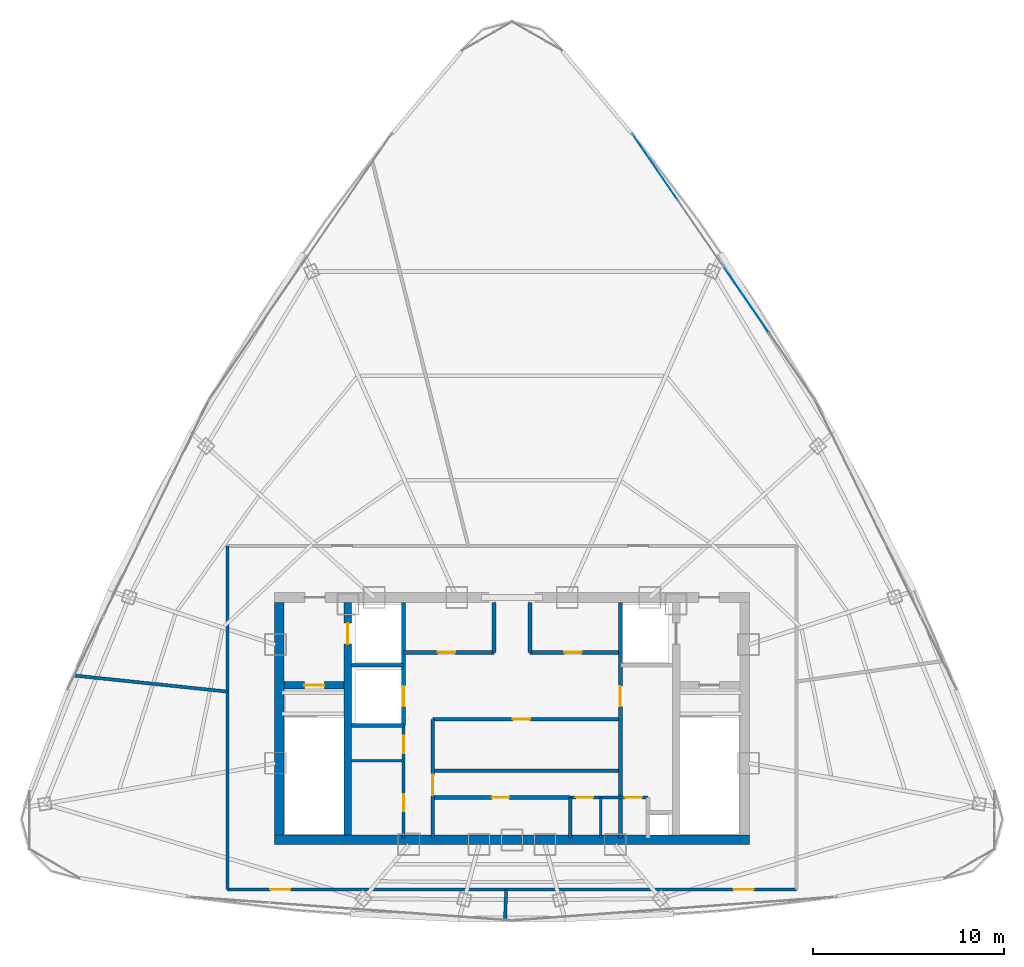
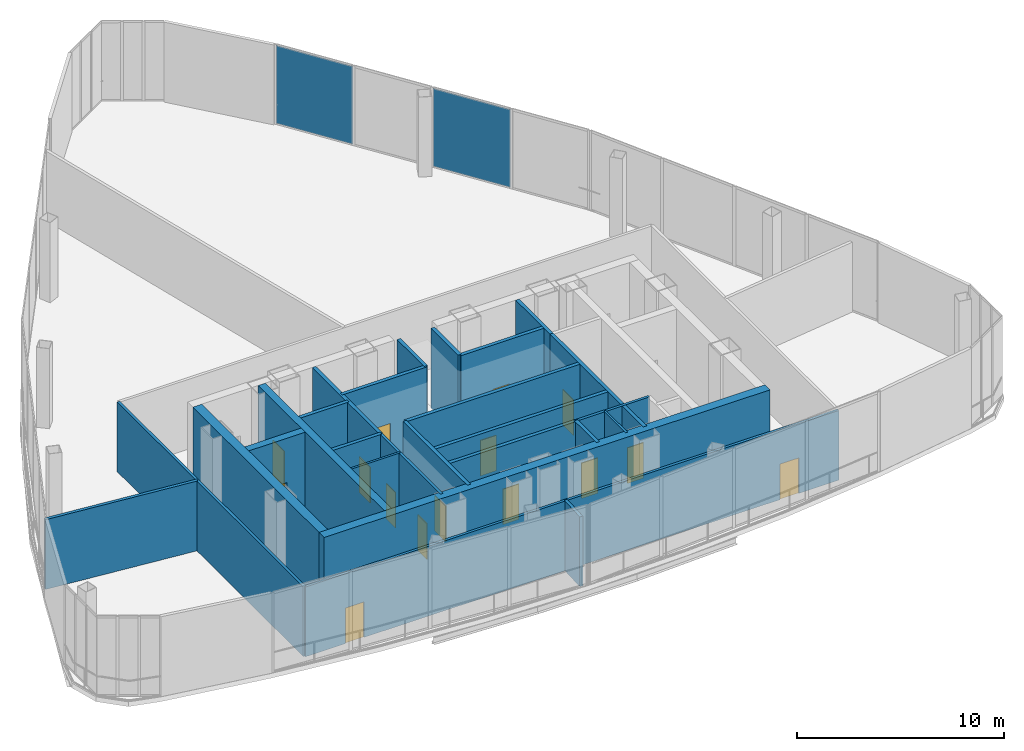
# One storey, part 29 of 32: 26 walls, 15 doors, 2 plates, 15 openings, 1 element without a shape of its own.
"""IFC4 building model written with IfcOpenShell, lengths in metres."""

from ifc_helpers import new_model, si_unit, direction, frame, frame_2d, origin, origin_with_axes, origin_2d, place, context, subcontext, project, spatial, rectangle, extrude, source, transform, mapped, material, layer, layer_set, type_object, element, fill, aggregate, save


model = new_model("IFC4")

# Units and contexts
model_context = context("Model", 3, precision=1e-05, world=origin(), true_north=direction((0.0, 1.0)))
body_context = subcontext(model_context, "Body", "Model", "MODEL_VIEW")
ifc_project = project(units=[si_unit("LENGTHUNIT", "METRE"), si_unit("AREAUNIT", "SQUARE_METRE"), si_unit("VOLUMEUNIT", "CUBIC_METRE"), si_unit("PLANEANGLEUNIT", "RADIAN"), si_unit("MASSUNIT", "GRAM", prefix="KILO"), si_unit("THERMODYNAMICTEMPERATUREUNIT", "KELVIN"), si_unit("POWERUNIT", "WATT")], contexts=[model_context])

# Site, building, storey
site_placement = place(None, origin())
site = spatial("IfcSite", under=ifc_project, at=site_placement, CompositionType="ELEMENT")
building_placement = place(site_placement, origin())
building = spatial("IfcBuilding", under=site, at=building_placement, Name="Yunzhuo Pagoda Commons", CompositionType="ELEMENT")
storey_placement = place(building_placement, frame((0.0, 0.0, 396.760009765625)))
storey = spatial("IfcBuildingStorey", under=building, at=storey_placement, Name="L98", CompositionType="ELEMENT", Elevation=396.760009765625)

# Curtain wall, plates
ifc_material_1 = material(Name="Anodized aluminium 6063-T6", Category="aluminium")
ifc_layer_1 = layer(ifc_material_1, 0.179931640625)
ifc_layer_set_1 = layer_set([ifc_layer_1], Name="Anodized aluminium 6063-T6")
curtain_wall_type = type_object("IfcCurtainWallType", Name="CW-CRN Crown Gable Glazing System", PredefinedType="NOTDEFINED", material=ifc_layer_set_1)
curtain_wall_placement = place(storey_placement, origin())
curtain_wall = element("IfcCurtainWall", 1, at=curtain_wall_placement, inside=storey, type_object=curtain_wall_type, Name="L98 curtain wall CW-L98-CRNF2G2", PredefinedType="NOTDEFINED")
ifc_material_2 = material(Name="Tempered low-e double glazing", Category="glass")
ifc_layer_2 = layer(ifc_material_2, 0.030029296875)
ifc_layer_set_2 = layer_set([ifc_layer_2], Name="Tempered low-e double glazing")
plate_type = type_object("IfcPlateType", Name="CW-CRN-P Low-E Double Glazing 30", PredefinedType="CURTAIN_PANEL", material=ifc_layer_set_2)
shared_shape_1 = source(origin(), body_context, "Body", "SweptSolid", [
    extrude(rectangle(XDim=4.125244140625, YDim=0.028076171875, at=origin_2d()), origin(), (0.0, 0.0, 1.0), 4.60009765625),
])
plate_1_placement = place(storey_placement, frame((55.507080078125, 62.74169921875, 0.06005859375), z_axis=(0.0, 0.0, 1.0), x_axis=(-0.566158911561, 0.824296116005, 0.0)))
plate_1 = element("IfcPlate", 2, at=plate_1_placement, type_object=plate_type, Name="CW panel 4.1", PredefinedType="CURTAIN_PANEL", context=body_context, shape_type="MappedRepresentation", body=[
    mapped(shared_shape_1, transform((0.0, 0.0, 0.0), scale=1.0)),
])
shared_shape_2 = source(origin(), body_context, "Body", "SweptSolid", [
    extrude(rectangle(XDim=4.15771484375, YDim=0.028076171875, at=origin_2d()), origin(), (0.0, 0.0, 1.0), 4.60009765625),
])
plate_2_placement = place(storey_placement, frame((60.279296875, 55.793701171875, 0.06005859375), z_axis=(0.0, 0.0, 1.0), x_axis=(-0.566158911561, 0.824296116005, 0.0)))
plate_2 = element("IfcPlate", 3, at=plate_2_placement, type_object=plate_type, Name="CW panel 2.1", PredefinedType="CURTAIN_PANEL", context=body_context, shape_type="MappedRepresentation", body=[
    mapped(shared_shape_2, transform((0.0, 0.0, 0.0), scale=1.0)),
])
aggregate(curtain_wall, [plate_2, plate_1])

# Walls
ifc_material_3 = material(Name="Concrete C50", Category="concrete")
ifc_layer_3 = layer(ifc_material_3, 0.5)
ifc_layer_set_3 = layer_set([ifc_layer_3], Name="Concrete C50")
wall_type_1 = type_object("IfcWallType", Name="W-C03 Upper Core Shear Wall 500", PredefinedType="SHEAR", material=ifc_layer_set_3)
wall_1_placement = place(storey_placement, frame((35.550048828125, 27.5, 0.0), z_axis=(0.0, 0.0, 1.0), x_axis=(1.0, 0.0, 0.0)))
element("IfcWall", 4, at=wall_1_placement, inside=storey, type_object=wall_type_1, Name="L98 core shear wall S", PredefinedType="SHEAR", context=body_context, shape_type="SweptSolid", body=[
    extrude(rectangle(XDim=24.89990234375, YDim=0.5, at=frame_2d((12.449951171875, 0.0))), origin(), (0.0, 0.0, 1.0), 4.719970703125),
])
wall_2_placement = place(storey_placement, frame((35.800048828125, 27.75, 0.0), z_axis=(0.0, 0.0, 1.0), x_axis=(0.0, 1.0, 0.0)))
element("IfcWall", 5, at=wall_2_placement, inside=storey, type_object=wall_type_1, Name="L98 core shear wall W", PredefinedType="SHEAR", context=body_context, shape_type="SweptSolid", body=[
    extrude(rectangle(XDim=12.199951171875, YDim=0.5, at=frame_2d((6.10009765625, 0.0))), origin(), (0.0, 0.0, 1.0), 4.719970703125),
])

# Wall, openings, doors
ifc_material_4 = material(Name="Gypsum plasterboard on acoustic stud")
ifc_layer_4 = layer(ifc_material_4, 0.14990234375)
ifc_layer_set_4 = layer_set([ifc_layer_4], Name="Gypsum plasterboard on acoustic stud")
wall_type_2 = type_object("IfcWallType", Name="W-COR3 High-Zone Rated Corridor Wall 150", PredefinedType="PARTITIONING", material=ifc_layer_set_4)
wall_3_placement = place(storey_placement, frame((42.320068359375, 27.60009765625, 0.0), z_axis=(0.0, 0.0, 1.0), x_axis=(0.0, 1.0, 0.0)))
wall_3 = element("IfcWall", 6, at=wall_3_placement, inside=storey, type_object=wall_type_2, Name="L98 interior wall IW-L98-CSWE", PredefinedType="PARTITIONING", context=body_context, shape_type="SweptSolid", body=[
    extrude(rectangle(XDim=5.89990234375, YDim=0.14990234375, at=frame_2d((2.949951171875, 0.0))), origin(), (0.0, 0.0, 1.0), 4.719970703125),
])
opening_1_placement = place(wall_3_placement, frame((1.39990234375, 0.0, 0.0)))
opening_1 = element("IfcOpeningElement", 7, at=opening_1_placement, cuts=wall_3, Name="Opening D-03", PredefinedType="OPENING", context=body_context, shape_type="SweptSolid", body=[
    extrude(rectangle(XDim=0.89990234375, YDim=2.10009765625, at=frame_2d((0.449951171875, 1.050048828125))), frame((0.0, 0.0849609375, 0.0), z_axis=(0.0, -1.0, 0.0), x_axis=(1.0, 0.0, 0.0)), (0.0, 0.0, 1.0), 0.169921875),
])
opening_2_placement = place(wall_3_placement, frame((4.449951171875, 0.0, 0.0)))
opening_2 = element("IfcOpeningElement", 8, at=opening_2_placement, cuts=wall_3, Name="Opening D-03", PredefinedType="OPENING", context=body_context, shape_type="SweptSolid", body=[
    extrude(rectangle(XDim=0.89990234375, YDim=2.10009765625, at=frame_2d((0.449951171875, 1.050048828125))), frame((0.0, 0.0849609375, 0.0), z_axis=(0.0, -1.0, 0.0), x_axis=(1.0, 0.0, 0.0)), (0.0, 0.0, 1.0), 0.169921875),
])
ifc_material_5 = material(Name="Galvanized fire-resisting metal leaf")
door_type_1 = type_object("IfcDoorType", Name="D-03 Core Service Fire Door 900x2100", OperationType="NOTDEFINED", PredefinedType="DOOR", material=ifc_material_5)
shared_shape_3 = source(origin(), body_context, "Body", "SweptSolid", [
    extrude(rectangle(XDim=0.89990234375, YDim=2.10009765625, at=frame_2d((0.449951171875, 1.050048828125))), frame((0.0, 0.02490234375, 0.0), z_axis=(0.0, -1.0, 0.0), x_axis=(1.0, 0.0, 0.0)), (0.0, 0.0, 1.0), 0.050048828125),
])
door_1_placement = place(opening_1_placement, origin_with_axes())
door_1 = element("IfcDoor", 9, at=door_1_placement, inside=storey, type_object=door_type_1, Name="L98 service store door", OperationType="SINGLE_SWING_LEFT", OverallHeight=2.10009765625, OverallWidth=0.89990234375, PredefinedType="DOOR", context=body_context, shape_type="MappedRepresentation", body=[
    mapped(shared_shape_3, transform((0.0, 0.0, 0.0), scale=1.0)),
])
fill(opening_1, door_1)
door_2_placement = place(opening_2_placement, origin_with_axes())
door_2 = element("IfcDoor", 10, at=door_2_placement, inside=storey, type_object=door_type_1, Name="L98 switch closet door", OperationType="SINGLE_SWING_RIGHT", OverallHeight=2.10009765625, OverallWidth=0.89990234375, PredefinedType="DOOR", context=body_context, shape_type="MappedRepresentation", body=[
    mapped(shared_shape_3, transform((0.0, 0.0, 0.0), scale=1.0)),
])
fill(opening_2, door_2)

wall_4_placement = place(storey_placement, frame((51.050048828125, 29.719970703125, 0.0), z_axis=(0.0, 0.0, 1.0), x_axis=(1.0, 0.0, 0.0)))
wall_4 = element("IfcWall", 11, at=wall_4_placement, inside=storey, type_object=wall_type_2, Name="L98 interior wall IW-L98-CSES", PredefinedType="PARTITIONING", context=body_context, shape_type="SweptSolid", body=[
    extrude(rectangle(XDim=4.070068359375, YDim=0.14990234375, at=frame_2d((2.03515625, 0.0))), origin(), (0.0, 0.0, 1.0), 4.719970703125),
])
opening_3_placement = place(wall_4_placement, frame((0.300048828125, 0.0, 0.0)))
opening_3 = element("IfcOpeningElement", 12, at=opening_3_placement, cuts=wall_4, Name="Opening D-03", PredefinedType="OPENING", context=body_context, shape_type="SweptSolid", body=[
    extrude(rectangle(XDim=0.89990234375, YDim=2.10009765625, at=frame_2d((0.449951171875, 1.050048828125))), frame((0.0, 0.0849609375, 0.0), z_axis=(0.0, -1.0, 0.0), x_axis=(1.0, 0.0, 0.0)), (0.0, 0.0, 1.0), 0.169921875),
])
opening_4_placement = place(wall_4_placement, frame((2.860107421875, 0.0, 0.0)))
opening_4 = element("IfcOpeningElement", 13, at=opening_4_placement, cuts=wall_4, Name="Opening D-03", PredefinedType="OPENING", context=body_context, shape_type="SweptSolid", body=[
    extrude(rectangle(XDim=0.89990234375, YDim=2.10009765625, at=frame_2d((0.449951171875, 1.050048828125))), frame((0.0, 0.0849609375, 0.0), z_axis=(0.0, -1.0, 0.0), x_axis=(1.0, 0.0, 0.0)), (0.0, 0.0, 1.0), 0.169921875),
])
door_3_placement = place(opening_3_placement, origin_with_axes())
door_3 = element("IfcDoor", 14, at=door_3_placement, inside=storey, type_object=door_type_1, Name="L98 cleaner door", OperationType="SINGLE_SWING_LEFT", OverallHeight=2.10009765625, OverallWidth=0.89990234375, PredefinedType="DOOR", context=body_context, shape_type="MappedRepresentation", body=[
    mapped(shared_shape_3, transform((0.0, 0.0, 0.0), scale=1.0)),
])
fill(opening_3, door_3)
door_4_placement = place(opening_4_placement, origin_with_axes())
door_4 = element("IfcDoor", 15, at=door_4_placement, inside=storey, type_object=door_type_1, Name="L98 core battery door", OperationType="SINGLE_SWING_RIGHT", OverallHeight=2.10009765625, OverallWidth=0.89990234375, PredefinedType="DOOR", context=body_context, shape_type="MappedRepresentation", body=[
    mapped(shared_shape_3, transform((0.0, 0.0, 0.0), scale=1.0)),
])
fill(opening_4, door_4)

wall_5_placement = place(storey_placement, frame((33.10009765625, 24.89990234375, 0.0), z_axis=(0.0, 0.0, 1.0), x_axis=(1.0, 0.0, 0.0)))
wall_5 = element("IfcWall", 16, at=wall_5_placement, inside=storey, type_object=wall_type_2, Name="L98 interior wall IW-L98-SCW01", PredefinedType="PARTITIONING", context=body_context, shape_type="SweptSolid", body=[
    extrude(rectangle(XDim=29.7998046875, YDim=0.14990234375, at=frame_2d((14.89990234375, 0.0))), origin(), (0.0, 0.0, 1.0), 4.119873046875),
])
opening_5_placement = place(wall_5_placement, frame((2.236328125, 0.0, 0.0)))
opening_5 = element("IfcOpeningElement", 17, at=opening_5_placement, cuts=wall_5, Name="Opening D-02", PredefinedType="OPENING", context=body_context, shape_type="SweptSolid", body=[
    extrude(rectangle(XDim=1.050048828125, YDim=2.10009765625, at=frame_2d((0.52490234375, 1.050048828125))), frame((0.0, 0.0849609375, 0.0), z_axis=(0.0, -1.0, 0.0), x_axis=(1.0, 0.0, 0.0)), (0.0, 0.0, 1.0), 0.169921875),
])
opening_6_placement = place(wall_5_placement, frame((26.513671875, 0.0, 0.0)))
opening_6 = element("IfcOpeningElement", 18, at=opening_6_placement, cuts=wall_5, Name="Opening D-02", PredefinedType="OPENING", context=body_context, shape_type="SweptSolid", body=[
    extrude(rectangle(XDim=1.050048828125, YDim=2.10009765625, at=frame_2d((0.52490234375, 1.050048828125))), frame((0.0, 0.0849609375, 0.0), z_axis=(0.0, -1.0, 0.0), x_axis=(1.0, 0.0, 0.0)), (0.0, 0.0, 1.0), 0.169921875),
])
door_type_2 = type_object("IfcDoorType", Name="D-02 Firefighting Lobby & Refuge Fire Door 1050x2100", OperationType="NOTDEFINED", PredefinedType="DOOR", material=ifc_material_5)
shared_shape_4 = source(origin(), body_context, "Body", "SweptSolid", [
    extrude(rectangle(XDim=1.050048828125, YDim=2.10009765625, at=frame_2d((0.52490234375, 1.050048828125))), frame((0.0, 0.02490234375, 0.0), z_axis=(0.0, -1.0, 0.0), x_axis=(1.0, 0.0, 0.0)), (0.0, 0.0, 1.0), 0.050048828125),
])
door_5_placement = place(opening_5_placement, origin_with_axes())
door_5 = element("IfcDoor", 19, at=door_5_placement, inside=storey, type_object=door_type_2, Name="L98 Primary Pump and Heat-Recovery Plant Room door", OperationType="SINGLE_SWING_LEFT", OverallHeight=2.10009765625, OverallWidth=1.050048828125, PredefinedType="DOOR", context=body_context, shape_type="MappedRepresentation", body=[
    mapped(shared_shape_4, transform((0.0, 0.0, 0.0), scale=1.0)),
])
fill(opening_5, door_5)
door_6_placement = place(opening_6_placement, origin_with_axes())
door_6 = element("IfcDoor", 20, at=door_6_placement, inside=storey, type_object=door_type_2, Name="L98 Crown Switchgear and Control Plant Room door", OperationType="SINGLE_SWING_RIGHT", OverallHeight=2.10009765625, OverallWidth=1.050048828125, PredefinedType="DOOR", context=body_context, shape_type="MappedRepresentation", body=[
    mapped(shared_shape_4, transform((0.0, 0.0, 0.0), scale=1.0)),
])
fill(opening_6, door_6)

# Walls
wall_6_placement = place(storey_placement, frame((33.10009765625, 42.89990234375, 0.0), z_axis=(0.0, 0.0, 1.0), x_axis=(0.0, -1.0, 0.0)))
element("IfcWall", 21, at=wall_6_placement, inside=storey, type_object=wall_type_2, Name="L98 interior wall IW-L98-SCW04", PredefinedType="PARTITIONING", context=body_context, shape_type="SweptSolid", body=[
    extrude(rectangle(XDim=18.0, YDim=0.14990234375, at=frame_2d((9.0, 0.0))), origin(), (0.0, 0.0, 1.0), 4.119873046875),
])
ifc_layer_5 = layer(ifc_material_4, 0.1201171875)
ifc_layer_set_5 = layer_set([ifc_layer_5], Name="Gypsum plasterboard on acoustic stud")
wall_type_3 = type_object("IfcWallType", Name="W-PRT1 Suite & Bathroom Partition 120", PredefinedType="PARTITIONING", material=ifc_layer_set_5)
wall_7_placement = place(storey_placement, frame((39.60009765625, 31.64990234375, 0.0), z_axis=(0.0, 0.0, 1.0), x_axis=(1.0, 0.0, 0.0)))
element("IfcWall", 22, at=wall_7_placement, inside=storey, type_object=wall_type_3, Name="L98 interior wall IW-L98-CD1", PredefinedType="PARTITIONING", context=body_context, shape_type="SweptSolid", body=[
    extrude(rectangle(XDim=2.719970703125, YDim=0.1201171875, at=frame_2d((1.35986328125, 0.0))), origin(), (0.0, 0.0, 1.0), 4.719970703125),
])
wall_8_placement = place(storey_placement, frame((52.64990234375, 27.60009765625, 0.0), z_axis=(0.0, 0.0, 1.0), x_axis=(0.0, 1.0, 0.0)))
element("IfcWall", 23, at=wall_8_placement, inside=storey, type_object=wall_type_3, Name="L98 interior wall IW-L98-CD2", PredefinedType="PARTITIONING", context=body_context, shape_type="SweptSolid", body=[
    extrude(rectangle(XDim=2.119873046875, YDim=0.1201171875, at=frame_2d((1.06005859375, 0.0))), origin(), (0.0, 0.0, 1.0), 4.719970703125),
])
ifc_layer_6 = layer(ifc_material_4, 0.169921875)
ifc_layer_set_6 = layer_set([ifc_layer_6], Name="Gypsum plasterboard on acoustic stud")
wall_type_4 = type_object("IfcWallType", Name="W-PRT4 High-Zone Demising Wall 170", PredefinedType="PARTITIONING", material=ifc_layer_set_6)
wall_9_placement = place(storey_placement, frame((33.10009765625, 35.26611328125, 0.0), z_axis=(0.0, 0.0, 1.0), x_axis=(-0.994521682688, 0.104530486767, 0.0)))
element("IfcWall", 24, at=wall_9_placement, inside=storey, type_object=wall_type_4, Name="L98 interior wall IW-L98-SRAD3", PredefinedType="PARTITIONING", context=body_context, shape_type="SweptSolid", body=[
    extrude(rectangle(XDim=8.07177734375, YDim=0.169921875, at=frame_2d((4.035888671875, 0.0))), origin(), (0.0, 0.0, 1.0), 4.119873046875),
])
wall_10_placement = place(storey_placement, frame((47.692626953125, 24.89990234375, 0.0), z_axis=(0.0, 0.0, 1.0), x_axis=(-0.034853599834, -0.999392428718, 0.0)))
element("IfcWall", 25, at=wall_10_placement, inside=storey, type_object=wall_type_4, Name="L98 interior wall IW-L98-SRAD4", PredefinedType="PARTITIONING", context=body_context, shape_type="SweptSolid", body=[
    extrude(rectangle(XDim=1.590087890625, YDim=0.169921875, at=frame_2d((0.794921875, 0.0))), origin(), (0.0, 0.0, 1.0), 4.119873046875),
])

# Wall, opening, door
ifc_material_6 = material(Name="Concrete C60", Category="concrete")
ifc_layer_7 = layer(ifc_material_6, 0.39990234375)
ifc_layer_set_7 = layer_set([ifc_layer_7], Name="Concrete C60")
wall_type_5 = type_object("IfcWallType", Name="W-S01 Internal Core Shear Web 400", PredefinedType="SHEAR", material=ifc_layer_set_7)
wall_11_placement = place(storey_placement, frame((39.39990234375, 27.75, 0.0), z_axis=(0.0, 0.0, 1.0), x_axis=(0.0, 1.0, 0.0)))
wall_11 = element("IfcWall", 26, at=wall_11_placement, inside=storey, type_object=wall_type_5, Name="L98 core shear wall WEBW", PredefinedType="SHEAR", context=body_context, shape_type="SweptSolid", body=[
    extrude(rectangle(XDim=12.199951171875, YDim=0.39990234375, at=frame_2d((6.10009765625, 0.0))), origin(), (0.0, 0.0, 1.0), 4.719970703125),
])
opening_7_placement = place(wall_11_placement, frame((10.0, 0.0, 0.0)))
opening_7 = element("IfcOpeningElement", 27, at=opening_7_placement, cuts=wall_11, Name="Opening LD-01", PredefinedType="OPENING", context=body_context, shape_type="SweptSolid", body=[
    extrude(rectangle(XDim=1.10009765625, YDim=2.10009765625, at=frame_2d((0.550048828125, 1.050048828125))), frame((0.0, 0.2099609375, 0.0), z_axis=(0.0, -1.0, 0.0), x_axis=(1.0, 0.0, 0.0)), (0.0, 0.0, 1.0), 0.419921875),
])
door_type_3 = type_object("IfcDoorType", Name="LD-01 Firefighting Lift Landing Door 1100x2100", OperationType="DOUBLE_DOOR_SLIDING", PredefinedType="DOOR", material=ifc_material_5)
shared_shape_5 = source(origin(), body_context, "Body", "SweptSolid", [
    extrude(rectangle(XDim=1.10009765625, YDim=2.10009765625, at=frame_2d((0.550048828125, 1.050048828125))), frame((0.0, 0.02490234375, 0.0), z_axis=(0.0, -1.0, 0.0), x_axis=(1.0, 0.0, 0.0)), (0.0, 0.0, 1.0), 0.050048828125),
])
door_7_placement = place(opening_7_placement, frame((1.10009765625, 0.0, 0.0), z_axis=(0.0, 0.0, 1.0), x_axis=(-1.0, 0.0, 0.0)))
door_7 = element("IfcDoor", 28, at=door_7_placement, inside=storey, type_object=door_type_3, Name="L98 Firefighting lift FL-1 landing door", OperationType="DOUBLE_DOOR_SLIDING", OverallHeight=2.10009765625, OverallWidth=1.10009765625, PredefinedType="DOOR", context=body_context, shape_type="MappedRepresentation", body=[
    mapped(shared_shape_5, transform((0.0, 0.0, 0.0), scale=1.0)),
])
fill(opening_7, door_7)

wall_12_placement = place(storey_placement, frame((36.050048828125, 35.60009765625, 0.0), z_axis=(0.0, 0.0, 1.0), x_axis=(1.0, 0.0, 0.0)))
wall_12 = element("IfcWall", 29, at=wall_12_placement, inside=storey, type_object=wall_type_5, Name="L98 core shear wall STW", PredefinedType="SHEAR", context=body_context, shape_type="SweptSolid", body=[
    extrude(rectangle(XDim=3.14990234375, YDim=0.39990234375, at=frame_2d((1.574951171875, 0.0))), origin(), (0.0, 0.0, 1.0), 4.719970703125),
])
opening_8_placement = place(wall_12_placement, frame((1.070068359375, 0.0, 0.0)))
opening_8 = element("IfcOpeningElement", 30, at=opening_8_placement, cuts=wall_12, Name="Opening D-01", PredefinedType="OPENING", context=body_context, shape_type="SweptSolid", body=[
    extrude(rectangle(XDim=1.050048828125, YDim=2.10009765625, at=frame_2d((0.52490234375, 1.050048828125))), frame((0.0, 0.2099609375, 0.0), z_axis=(0.0, -1.0, 0.0), x_axis=(1.0, 0.0, 0.0)), (0.0, 0.0, 1.0), 0.419921875),
])
door_type_4 = type_object("IfcDoorType", Name="D-01 Smokeproof Stair Fire Door 1050x2100", OperationType="NOTDEFINED", PredefinedType="DOOR", material=ifc_material_5)
door_8_placement = place(opening_8_placement, frame((1.050048828125, 0.0, 0.0), z_axis=(0.0, 0.0, 1.0), x_axis=(-1.0, 0.0, 0.0)))
door_8 = element("IfcDoor", 31, at=door_8_placement, inside=storey, type_object=door_type_4, Name="L98 Stair ST1 fire door", OperationType="SINGLE_SWING_LEFT", OverallHeight=2.10009765625, OverallWidth=1.050048828125, PredefinedType="DOOR", context=body_context, shape_type="MappedRepresentation", body=[
    mapped(shared_shape_4, transform((0.0, 0.0, 0.0), scale=1.0)),
])
fill(opening_8, door_8)

ifc_material_7 = material(Name="Concrete C40", Category="concrete")
ifc_layer_8 = layer(ifc_material_7, 0.199951171875)
ifc_layer_set_8 = layer_set([ifc_layer_8], Name="Concrete C40")
wall_type_6 = type_object("IfcWallType", Name="W-SHF Shaft & Stair Enclosure Wall 200", PredefinedType="SOLIDWALL", material=ifc_layer_set_8)
wall_13_placement = place(storey_placement, frame((42.320068359375, 33.5, 0.0), z_axis=(0.0, 0.0, 1.0), x_axis=(0.0, 1.0, 0.0)))
wall_13 = element("IfcWall", 32, at=wall_13_placement, inside=storey, type_object=wall_type_6, Name="L98 interior wall IW-L98-FL1E", PredefinedType="SOLIDWALL", context=body_context, shape_type="SweptSolid", body=[
    extrude(rectangle(XDim=6.449951171875, YDim=0.199951171875, at=frame_2d((3.22509765625, 0.0))), origin(), (0.0, 0.0, 1.0), 4.719970703125),
])
opening_9_placement = place(wall_13_placement, frame((1.0, 0.0, 0.0)))
opening_9 = element("IfcOpeningElement", 33, at=opening_9_placement, cuts=wall_13, Name="Opening LD-02", PredefinedType="OPENING", context=body_context, shape_type="SweptSolid", body=[
    extrude(rectangle(XDim=1.050048828125, YDim=2.10009765625, at=frame_2d((0.52490234375, 1.050048828125))), frame((0.0, 0.10986328125, 0.0), z_axis=(0.0, -1.0, 0.0), x_axis=(1.0, 0.0, 0.0)), (0.0, 0.0, 1.0), 0.219970703125),
])
door_type_5 = type_object("IfcDoorType", Name="LD-02 Passenger Lift Landing Door 1050x2100", OperationType="DOUBLE_DOOR_SLIDING", PredefinedType="DOOR", material=ifc_material_5)
door_9_placement = place(opening_9_placement, origin_with_axes())
door_9 = element("IfcDoor", 34, at=door_9_placement, inside=storey, type_object=door_type_5, Name="L98 Service lift SL-1 landing door", OperationType="DOUBLE_DOOR_SLIDING", OverallHeight=2.10009765625, OverallWidth=1.050048828125, PredefinedType="DOOR", context=body_context, shape_type="MappedRepresentation", body=[
    mapped(shared_shape_4, transform((0.0, 0.0, 0.0), scale=1.0)),
])
fill(opening_9, door_9)

# Walls
for number, where, z_axis, x_axis, name in (
    (35, (39.60009765625, 36.64990234375, 0.0), (0.0, 0.0, 1.0), (1.0, 0.0, 0.0), "L98 interior wall IW-L98-FL1S"),
    (36, (39.60009765625, 33.5, 0.0), (0.0, 0.0, 1.0), (1.0, 0.0, 0.0), "L98 interior wall IW-L98-SL1S"),
):
    element("IfcWall", number, at=place(storey_placement, frame(where, z_axis=z_axis, x_axis=x_axis)), inside=storey, type_object=wall_type_6, Name=name, PredefinedType="SOLIDWALL", context=body_context, shape_type="SweptSolid", body=[
        extrude(rectangle(XDim=2.719970703125, YDim=0.199951171875, at=frame_2d((1.35986328125, 0.0))), origin(), (0.0, 0.0, 1.0), 4.719970703125),
    ])
wall_14_placement = place(storey_placement, frame((53.679931640625, 36.64990234375, 0.0), z_axis=(0.0, 0.0, 1.0), x_axis=(0.0, 1.0, 0.0)))
element("IfcWall", 37, at=wall_14_placement, inside=storey, type_object=wall_type_6, Name="L98 interior wall IW-L98-FL2W", PredefinedType="SOLIDWALL", context=body_context, shape_type="SweptSolid", body=[
    extrude(rectangle(XDim=3.300048828125, YDim=0.199951171875, at=frame_2d((1.64990234375, 0.0))), origin(), (0.0, 0.0, 1.0), 4.719970703125),
])

# Wall, opening, door
wall_15_placement = place(storey_placement, frame((42.320068359375, 37.320068359375, 0.0), z_axis=(0.0, 0.0, 1.0), x_axis=(1.0, 0.0, 0.0)))
wall_15 = element("IfcWall", 38, at=wall_15_placement, inside=storey, type_object=wall_type_6, Name="L98 interior wall IW-L98-LBNW", PredefinedType="SOLIDWALL", context=body_context, shape_type="SweptSolid", body=[
    extrude(rectangle(XDim=4.72998046875, YDim=0.199951171875, at=frame_2d((2.364990234375, 0.0))), origin(), (0.0, 0.0, 1.0), 4.719970703125),
])
opening_10_placement = place(wall_15_placement, frame((1.800048828125, 0.0, 0.0)))
opening_10 = element("IfcOpeningElement", 39, at=opening_10_placement, cuts=wall_15, Name="Opening D-03", PredefinedType="OPENING", context=body_context, shape_type="SweptSolid", body=[
    extrude(rectangle(XDim=0.89990234375, YDim=2.10009765625, at=frame_2d((0.449951171875, 1.050048828125))), frame((0.0, 0.10986328125, 0.0), z_axis=(0.0, -1.0, 0.0), x_axis=(1.0, 0.0, 0.0)), (0.0, 0.0, 1.0), 0.219970703125),
])
door_10_placement = place(opening_10_placement, frame((0.89990234375, 0.0, 0.0), z_axis=(0.0, 0.0, 1.0), x_axis=(-1.0, 0.0, 0.0)))
door_10 = element("IfcDoor", 40, at=door_10_placement, inside=storey, type_object=door_type_1, Name="L98 core west store door", OperationType="SINGLE_SWING_LEFT", OverallHeight=2.10009765625, OverallWidth=0.89990234375, PredefinedType="DOOR", context=body_context, shape_type="MappedRepresentation", body=[
    mapped(shared_shape_3, transform((0.0, 0.0, 0.0), scale=1.0)),
])
fill(opening_10, door_10)

wall_16_placement = place(storey_placement, frame((48.949951171875, 37.320068359375, 0.0), z_axis=(0.0, 0.0, 1.0), x_axis=(1.0, 0.0, 0.0)))
wall_16 = element("IfcWall", 41, at=wall_16_placement, inside=storey, type_object=wall_type_6, Name="L98 interior wall IW-L98-LBNE", PredefinedType="SOLIDWALL", context=body_context, shape_type="SweptSolid", body=[
    extrude(rectangle(XDim=4.72998046875, YDim=0.199951171875, at=frame_2d((2.364990234375, 0.0))), origin(), (0.0, 0.0, 1.0), 4.719970703125),
])
opening_11_placement = place(wall_16_placement, frame((1.800048828125, 0.0, 0.0)))
opening_11 = element("IfcOpeningElement", 42, at=opening_11_placement, cuts=wall_16, Name="Opening D-03", PredefinedType="OPENING", context=body_context, shape_type="SweptSolid", body=[
    extrude(rectangle(XDim=0.89990234375, YDim=2.10009765625, at=frame_2d((0.449951171875, 1.050048828125))), frame((0.0, 0.10986328125, 0.0), z_axis=(0.0, -1.0, 0.0), x_axis=(1.0, 0.0, 0.0)), (0.0, 0.0, 1.0), 0.219970703125),
])
door_11_placement = place(opening_11_placement, frame((0.89990234375, 0.0, 0.0), z_axis=(0.0, 0.0, 1.0), x_axis=(-1.0, 0.0, 0.0)))
door_11 = element("IfcDoor", 43, at=door_11_placement, inside=storey, type_object=door_type_1, Name="L98 core east store door", OperationType="SINGLE_SWING_RIGHT", OverallHeight=2.10009765625, OverallWidth=0.89990234375, PredefinedType="DOOR", context=body_context, shape_type="MappedRepresentation", body=[
    mapped(shared_shape_3, transform((0.0, 0.0, 0.0), scale=1.0)),
])
fill(opening_11, door_11)

# Walls
for number, where, z_axis, x_axis, name in (
    (44, (47.050048828125, 37.320068359375, 0.0), (0.0, 0.0, 1.0), (0.0, 1.0, 0.0), "L98 interior wall IW-L98-THRW"),
    (45, (48.949951171875, 37.320068359375, 0.0), (0.0, 0.0, 1.0), (0.0, 1.0, 0.0), "L98 interior wall IW-L98-THRE"),
):
    element("IfcWall", number, at=place(storey_placement, frame(where, z_axis=z_axis, x_axis=x_axis)), inside=storey, type_object=wall_type_6, Name=name, PredefinedType="SOLIDWALL", context=body_context, shape_type="SweptSolid", body=[
        extrude(rectangle(XDim=2.6298828125, YDim=0.199951171875, at=frame_2d((1.31494140625, 0.0))), origin(), (0.0, 0.0, 1.0), 4.719970703125),
    ])

# Wall, opening, door
wall_17_placement = place(storey_placement, frame((43.85009765625, 33.820068359375, 0.0), z_axis=(0.0, 0.0, 1.0), x_axis=(1.0, 0.0, 0.0)))
wall_17 = element("IfcWall", 46, at=wall_17_placement, inside=storey, type_object=wall_type_6, Name="L98 interior wall IW-L98-MLBS", PredefinedType="SOLIDWALL", context=body_context, shape_type="SweptSolid", body=[
    extrude(rectangle(XDim=9.829833984375, YDim=0.199951171875, at=frame_2d((4.9150390625, 0.0))), origin(), (0.0, 0.0, 1.0), 4.719970703125),
])
opening_12_placement = place(wall_17_placement, frame((4.199951171875, 0.0, 0.0)))
opening_12 = element("IfcOpeningElement", 47, at=opening_12_placement, cuts=wall_17, Name="Opening D-03", PredefinedType="OPENING", context=body_context, shape_type="SweptSolid", body=[
    extrude(rectangle(XDim=0.89990234375, YDim=2.10009765625, at=frame_2d((0.449951171875, 1.050048828125))), frame((0.0, 0.10986328125, 0.0), z_axis=(0.0, -1.0, 0.0), x_axis=(1.0, 0.0, 0.0)), (0.0, 0.0, 1.0), 0.219970703125),
])
door_12_placement = place(opening_12_placement, origin_with_axes())
door_12 = element("IfcDoor", 48, at=door_12_placement, inside=storey, type_object=door_type_1, Name="L98 core archive store door", OperationType="SINGLE_SWING_LEFT", OverallHeight=2.10009765625, OverallWidth=0.89990234375, PredefinedType="DOOR", context=body_context, shape_type="MappedRepresentation", body=[
    mapped(shared_shape_3, transform((0.0, 0.0, 0.0), scale=1.0)),
])
fill(opening_12, door_12)

wall_18_placement = place(storey_placement, frame((43.85009765625, 27.60009765625, 0.0), z_axis=(0.0, 0.0, 1.0), x_axis=(0.0, 1.0, 0.0)))
wall_18 = element("IfcWall", 49, at=wall_18_placement, inside=storey, type_object=wall_type_6, Name="L98 interior wall IW-L98-PLMW", PredefinedType="SOLIDWALL", context=body_context, shape_type="SweptSolid", body=[
    extrude(rectangle(XDim=6.219970703125, YDim=0.199951171875, at=frame_2d((3.10986328125, 0.0))), origin(), (0.0, 0.0, 1.0), 4.719970703125),
])
opening_13_placement = place(wall_18_placement, frame((2.25, 0.0, 0.0)))
opening_13 = element("IfcOpeningElement", 50, at=opening_13_placement, cuts=wall_18, Name="Opening D-02", PredefinedType="OPENING", context=body_context, shape_type="SweptSolid", body=[
    extrude(rectangle(XDim=1.050048828125, YDim=2.10009765625, at=frame_2d((0.52490234375, 1.050048828125))), frame((0.0, 0.10986328125, 0.0), z_axis=(0.0, -1.0, 0.0), x_axis=(1.0, 0.0, 0.0)), (0.0, 0.0, 1.0), 0.219970703125),
])
door_13_placement = place(opening_13_placement, frame((1.050048828125, 0.0, 0.0), z_axis=(0.0, 0.0, 1.0), x_axis=(-1.0, 0.0, 0.0)))
door_13 = element("IfcDoor", 51, at=door_13_placement, inside=storey, type_object=door_type_2, Name="L98 High-bank hall west door", OperationType="SINGLE_SWING_LEFT", OverallHeight=2.10009765625, OverallWidth=1.050048828125, PredefinedType="DOOR", context=body_context, shape_type="MappedRepresentation", body=[
    mapped(shared_shape_4, transform((0.0, 0.0, 0.0), scale=1.0)),
])
fill(opening_13, door_13)

wall_19_placement = place(storey_placement, frame((53.679931640625, 27.60009765625, 0.0), z_axis=(0.0, 0.0, 1.0), x_axis=(0.0, 1.0, 0.0)))
wall_19 = element("IfcWall", 52, at=wall_19_placement, inside=storey, type_object=wall_type_6, Name="L98 interior wall IW-L98-PLME", PredefinedType="SOLIDWALL", context=body_context, shape_type="SweptSolid", body=[
    extrude(rectangle(XDim=9.0498046875, YDim=0.199951171875, at=frame_2d((4.52490234375, 0.0))), origin(), (0.0, 0.0, 1.0), 4.719970703125),
])
opening_14_placement = place(wall_19_placement, frame((6.89990234375, 0.0, 0.0)))
opening_14 = element("IfcOpeningElement", 53, at=opening_14_placement, cuts=wall_19, Name="Opening D-02", PredefinedType="OPENING", context=body_context, shape_type="SweptSolid", body=[
    extrude(rectangle(XDim=1.050048828125, YDim=2.10009765625, at=frame_2d((0.52490234375, 1.050048828125))), frame((0.0, 0.10986328125, 0.0), z_axis=(0.0, -1.0, 0.0), x_axis=(1.0, 0.0, 0.0)), (0.0, 0.0, 1.0), 0.219970703125),
])
door_14_placement = place(opening_14_placement, origin_with_axes())
door_14 = element("IfcDoor", 54, at=door_14_placement, inside=storey, type_object=door_type_2, Name="L98 High-bank lift hall door", OperationType="SINGLE_SWING_RIGHT", OverallHeight=2.10009765625, OverallWidth=1.050048828125, PredefinedType="DOOR", context=body_context, shape_type="MappedRepresentation", body=[
    mapped(shared_shape_4, transform((0.0, 0.0, 0.0), scale=1.0)),
])
fill(opening_14, door_14)

wall_20_placement = place(storey_placement, frame((43.85009765625, 29.719970703125, 0.0), z_axis=(0.0, 0.0, 1.0), x_axis=(1.0, 0.0, 0.0)))
wall_20 = element("IfcWall", 55, at=wall_20_placement, inside=storey, type_object=wall_type_6, Name="L98 interior wall IW-L98-PLHN", PredefinedType="SOLIDWALL", context=body_context, shape_type="SweptSolid", body=[
    extrude(rectangle(XDim=7.199951171875, YDim=0.199951171875, at=frame_2d((3.60009765625, 0.0))), origin(), (0.0, 0.0, 1.0), 4.719970703125),
])
opening_15_placement = place(wall_20_placement, frame((3.10009765625, 0.0, 0.0)))
opening_15 = element("IfcOpeningElement", 56, at=opening_15_placement, cuts=wall_20, Name="Opening D-03", PredefinedType="OPENING", context=body_context, shape_type="SweptSolid", body=[
    extrude(rectangle(XDim=0.89990234375, YDim=2.10009765625, at=frame_2d((0.449951171875, 1.050048828125))), frame((0.0, 0.10986328125, 0.0), z_axis=(0.0, -1.0, 0.0), x_axis=(1.0, 0.0, 0.0)), (0.0, 0.0, 1.0), 0.219970703125),
])
door_15_placement = place(opening_15_placement, origin_with_axes())
door_15 = element("IfcDoor", 57, at=door_15_placement, inside=storey, type_object=door_type_1, Name="L98 plumbing store door", OperationType="SINGLE_SWING_LEFT", OverallHeight=2.10009765625, OverallWidth=0.89990234375, PredefinedType="DOOR", context=body_context, shape_type="MappedRepresentation", body=[
    mapped(shared_shape_3, transform((0.0, 0.0, 0.0), scale=1.0)),
])
fill(opening_15, door_15)

# Walls
wall_21_placement = place(storey_placement, frame((51.050048828125, 27.60009765625, 0.0), z_axis=(0.0, 0.0, 1.0), x_axis=(0.0, 1.0, 0.0)))
element("IfcWall", 58, at=wall_21_placement, inside=storey, type_object=wall_type_6, Name="L98 interior wall IW-L98-PLHE", PredefinedType="SOLIDWALL", context=body_context, shape_type="SweptSolid", body=[
    extrude(rectangle(XDim=2.119873046875, YDim=0.199951171875, at=frame_2d((1.06005859375, 0.0))), origin(), (0.0, 0.0, 1.0), 4.719970703125),
])
wall_22_placement = place(storey_placement, frame((43.85009765625, 31.1201171875, 0.0), z_axis=(0.0, 0.0, 1.0), x_axis=(1.0, 0.0, 0.0)))
element("IfcWall", 59, at=wall_22_placement, inside=storey, type_object=wall_type_6, Name="L98 interior wall IW-L98-PLMS2", PredefinedType="SOLIDWALL", context=body_context, shape_type="SweptSolid", body=[
    extrude(rectangle(XDim=9.829833984375, YDim=0.199951171875, at=frame_2d((4.9150390625, 0.0))), origin(), (0.0, 0.0, 1.0), 4.719970703125),
])

save(model, "model.ifc")
